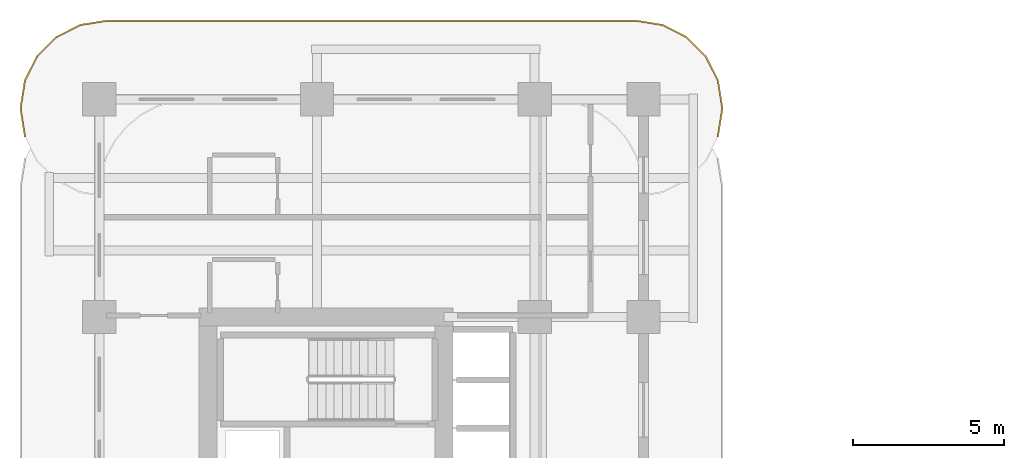
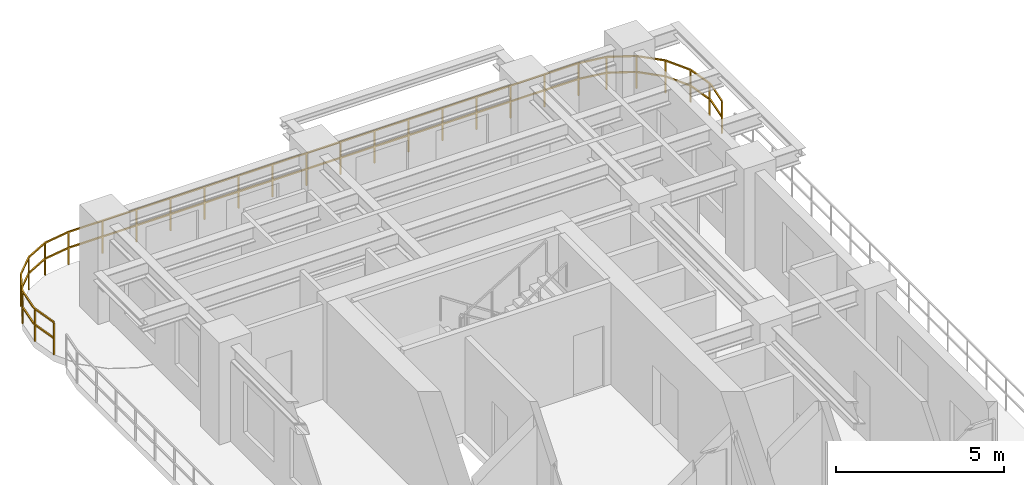
# One storey, part 19 of 19: 1 railing.
"""IFC4 building model written with IfcOpenShell, lengths in metres."""

from ifc_helpers import new_model, si_unit, derived_unit, direction, frame, origin, origin_2d, place, context, subcontext, project, spatial, rectangle, extrude, material, type_object, element, save


model = new_model("IFC4")

# Units and contexts
model_context = context("Model", 3, precision=1e-05, world=origin(), true_north=direction((0.0, 1.0)))
body_context = subcontext(model_context, "Body", "Model", "MODEL_VIEW")
ifc_project = project(units=[si_unit("LENGTHUNIT", "METRE"), si_unit("AREAUNIT", "SQUARE_METRE"), si_unit("VOLUMEUNIT", "CUBIC_METRE"), si_unit("PLANEANGLEUNIT", "RADIAN"), si_unit("MASSUNIT", "GRAM", prefix="KILO"), si_unit("THERMODYNAMICTEMPERATUREUNIT", "KELVIN"), si_unit("POWERUNIT", "WATT"), derived_unit("THERMALTRANSMITTANCEUNIT", [(si_unit("POWERUNIT", "WATT"), 1), (si_unit("AREAUNIT", "SQUARE_METRE"), -1), (si_unit("THERMODYNAMICTEMPERATUREUNIT", "KELVIN"), -1)])], contexts=[model_context])

# Site, building, storey
site_placement = place(None, origin())
site = spatial("IfcSite", under=ifc_project, at=site_placement, CompositionType="ELEMENT")
building_placement = place(site_placement, origin())
building = spatial("IfcBuilding", under=site, at=building_placement, Name="Zahravan Archway Hotel and Residences", CompositionType="ELEMENT")
storey_placement = place(building_placement, frame((0.0, 0.0, 32.39990234375)))
storey = spatial("IfcBuildingStorey", under=building, at=storey_placement, Name="L06", CompositionType="ELEMENT", Elevation=32.39990234375)

# Railing
ifc_material = material(Name="Bronze & Laminated Glass Balustrade", Category="glass")
railing_type = type_object("IfcRailingType", Name="RL-BAL-1200", PredefinedType="BALUSTRADE", material=ifc_material)
railing_placement = place(storey_placement, frame((-2.46044921875, 45.5693359375, 0.0)))
element("IfcRailing", 1, at=railing_placement, inside=storey, type_object=railing_type, Name="L06 Balustrade RL-SLB-BAL-L06-NB-1", PredefinedType="BALUSTRADE", context=body_context, shape_type="SweptSolid", body=[
    extrude(rectangle(XDim=0.048095703125, YDim=0.048095703125, at=origin_2d()), frame((0.0, 0.0, 1.17578125), z_axis=(-0.156623399917, 0.987658397726, 0.0), x_axis=(-0.987658397726, -0.156623399917, 0.0)), (0.0, 0.0, 1.0), 0.8916015625),
    extrude(rectangle(XDim=0.048095703125, YDim=0.048095703125, at=origin_2d()), frame((0.0, 0.0, 0.60009765625), z_axis=(-0.156623399917, 0.987658397726, 0.0), x_axis=(-0.987658397726, -0.156623399917, 0.0)), (0.0, 0.0, 1.0), 0.8916015625),
    extrude(rectangle(XDim=0.048095703125, YDim=0.048095703125, at=origin_2d()), frame((-0.1396484375, 0.880615234375, 1.17578125), z_axis=(0.0, 1.0, 0.0), x_axis=(-1.0, 0.0, 0.0)), (0.0, 0.0, 1.0), 0.10009765625),
    extrude(rectangle(XDim=0.048095703125, YDim=0.048095703125, at=origin_2d()), frame((-0.1396484375, 0.880615234375, 0.60009765625), z_axis=(0.0, 1.0, 0.0), x_axis=(-1.0, 0.0, 0.0)), (0.0, 0.0, 1.0), 0.10009765625),
    extrude(rectangle(XDim=0.048095703125, YDim=0.048095703125, at=origin_2d()), frame((-0.1396484375, 0.980712890625, 1.17578125), z_axis=(0.156623399917, 0.987658397726, 0.0), x_axis=(-0.987658397726, 0.156623399917, 0.0)), (0.0, 0.0, 1.0), 0.8916015625),
    extrude(rectangle(XDim=0.048095703125, YDim=0.048095703125, at=origin_2d()), frame((-0.1396484375, 0.980712890625, 0.60009765625), z_axis=(0.156623399917, 0.987658397726, 0.0), x_axis=(-0.987658397726, 0.156623399917, 0.0)), (0.0, 0.0, 1.0), 0.8916015625),
    extrude(rectangle(XDim=0.048095703125, YDim=0.048095703125, at=origin_2d()), frame((0.0, 1.861328125, 1.17578125), z_axis=(0.453991409995, 0.891006060389, 0.0), x_axis=(-0.891006060389, 0.453991409995, 0.0)), (0.0, 0.0, 1.0), 0.8916015625),
    extrude(rectangle(XDim=0.048095703125, YDim=0.048095703125, at=origin_2d()), frame((0.0, 1.861328125, 0.60009765625), z_axis=(0.453991409995, 0.891006060389, 0.0), x_axis=(-0.891006060389, 0.453991409995, 0.0)), (0.0, 0.0, 1.0), 0.8916015625),
    extrude(rectangle(XDim=0.048095703125, YDim=0.048095703125, at=origin_2d()), frame((0.40478515625, 2.65576171875, 1.17578125), z_axis=(0.706969864397, 0.70724367147, 0.0), x_axis=(-0.70724367147, 0.706969864397, 0.0)), (0.0, 0.0, 1.0), 0.8916015625),
    extrude(rectangle(XDim=0.048095703125, YDim=0.048095703125, at=origin_2d()), frame((0.40478515625, 2.65576171875, 0.60009765625), z_axis=(0.706969864397, 0.70724367147, 0.0), x_axis=(-0.70724367147, 0.706969864397, 0.0)), (0.0, 0.0, 1.0), 0.8916015625),
    extrude(rectangle(XDim=0.048095703125, YDim=0.048095703125, at=origin_2d()), frame((1.03515625, 3.286376953125, 1.17578125), z_axis=(0.891062476022, 0.45388067135, 0.0), x_axis=(-0.45388067135, 0.891062476022, 0.0)), (0.0, 0.0, 1.0), 0.891845703125),
    extrude(rectangle(XDim=0.048095703125, YDim=0.048095703125, at=origin_2d()), frame((1.03515625, 3.286376953125, 0.60009765625), z_axis=(0.891062476022, 0.45388067135, 0.0), x_axis=(-0.45388067135, 0.891062476022, 0.0)), (0.0, 0.0, 1.0), 0.891845703125),
    extrude(rectangle(XDim=0.048095703125, YDim=0.048095703125, at=origin_2d()), frame((1.829833984375, 3.691162109375, 1.17578125), z_axis=(0.987700720307, 0.156356282588, 0.0), x_axis=(-0.156356282588, 0.987700720307, 0.0)), (0.0, 0.0, 1.0), 0.8916015625),
    extrude(rectangle(XDim=0.048095703125, YDim=0.048095703125, at=origin_2d()), frame((1.829833984375, 3.691162109375, 0.60009765625), z_axis=(0.987700720307, 0.156356282588, 0.0), x_axis=(-0.156356282588, 0.987700720307, 0.0)), (0.0, 0.0, 1.0), 0.8916015625),
    extrude(rectangle(XDim=0.048095703125, YDim=0.048095703125, at=origin_2d()), frame((2.71044921875, 3.83056640625, 1.17578125), z_axis=(1.0, 0.0, 0.0), x_axis=(0.0, 1.0, 0.0)), (0.0, 0.0, 1.0), 17.5),
    extrude(rectangle(XDim=0.048095703125, YDim=0.048095703125, at=origin_2d()), frame((2.71044921875, 3.83056640625, 0.60009765625), z_axis=(1.0, 0.0, 0.0), x_axis=(0.0, 1.0, 0.0)), (0.0, 0.0, 1.0), 17.5),
    extrude(rectangle(XDim=0.048095703125, YDim=0.048095703125, at=origin_2d()), frame((20.21044921875, 3.83056640625, 1.17578125), z_axis=(0.987700720307, -0.156356282588, 0.0), x_axis=(0.156356282588, 0.987700720307, 0.0)), (0.0, 0.0, 1.0), 0.8916015625),
    extrude(rectangle(XDim=0.048095703125, YDim=0.048095703125, at=origin_2d()), frame((20.21044921875, 3.83056640625, 0.60009765625), z_axis=(0.987700720307, -0.156356282588, 0.0), x_axis=(0.156356282588, 0.987700720307, 0.0)), (0.0, 0.0, 1.0), 0.8916015625),
    extrude(rectangle(XDim=0.048095703125, YDim=0.048095703125, at=origin_2d()), frame((21.091064453125, 3.691162109375, 1.17578125), z_axis=(0.891062476022, -0.45388067135, 0.0), x_axis=(0.45388067135, 0.891062476022, 0.0)), (0.0, 0.0, 1.0), 0.891845703125),
    extrude(rectangle(XDim=0.048095703125, YDim=0.048095703125, at=origin_2d()), frame((21.091064453125, 3.691162109375, 0.60009765625), z_axis=(0.891062476022, -0.45388067135, 0.0), x_axis=(0.45388067135, 0.891062476022, 0.0)), (0.0, 0.0, 1.0), 0.891845703125),
    extrude(rectangle(XDim=0.048095703125, YDim=0.048095703125, at=origin_2d()), frame((21.8857421875, 3.286376953125, 1.17578125), z_axis=(0.706969864397, -0.70724367147, 0.0), x_axis=(0.70724367147, 0.706969864397, 0.0)), (0.0, 0.0, 1.0), 0.8916015625),
    extrude(rectangle(XDim=0.048095703125, YDim=0.048095703125, at=origin_2d()), frame((21.8857421875, 3.286376953125, 0.60009765625), z_axis=(0.706969864397, -0.70724367147, 0.0), x_axis=(0.70724367147, 0.706969864397, 0.0)), (0.0, 0.0, 1.0), 0.8916015625),
    extrude(rectangle(XDim=0.048095703125, YDim=0.048095703125, at=origin_2d()), frame((22.51611328125, 2.65576171875, 1.17578125), z_axis=(0.453991409995, -0.891006060389, 0.0), x_axis=(0.891006060389, 0.453991409995, 0.0)), (0.0, 0.0, 1.0), 0.8916015625),
    extrude(rectangle(XDim=0.048095703125, YDim=0.048095703125, at=origin_2d()), frame((22.51611328125, 2.65576171875, 0.60009765625), z_axis=(0.453991409995, -0.891006060389, 0.0), x_axis=(0.891006060389, 0.453991409995, 0.0)), (0.0, 0.0, 1.0), 0.8916015625),
    extrude(rectangle(XDim=0.048095703125, YDim=0.048095703125, at=origin_2d()), frame((22.9208984375, 1.861328125, 1.17578125), z_axis=(0.156623399917, -0.987658397726, 0.0), x_axis=(0.987658397726, 0.156623399917, 0.0)), (0.0, 0.0, 1.0), 0.8916015625),
    extrude(rectangle(XDim=0.048095703125, YDim=0.048095703125, at=origin_2d()), frame((22.9208984375, 1.861328125, 0.60009765625), z_axis=(0.156623399917, -0.987658397726, 0.0), x_axis=(0.987658397726, 0.156623399917, 0.0)), (0.0, 0.0, 1.0), 0.8916015625),
    extrude(rectangle(XDim=0.048095703125, YDim=0.048095703125, at=origin_2d()), frame((23.060546875, 0.980712890625, 1.17578125), z_axis=(0.0, -1.0, 0.0), x_axis=(1.0, 0.0, 0.0)), (0.0, 0.0, 1.0), 0.10009765625),
    extrude(rectangle(XDim=0.048095703125, YDim=0.048095703125, at=origin_2d()), frame((23.060546875, 0.980712890625, 0.60009765625), z_axis=(0.0, -1.0, 0.0), x_axis=(1.0, 0.0, 0.0)), (0.0, 0.0, 1.0), 0.10009765625),
    extrude(rectangle(XDim=0.048095703125, YDim=0.048095703125, at=origin_2d()), frame((23.060546875, 0.880615234375, 1.17578125), z_axis=(-0.156623399917, -0.987658397726, 0.0), x_axis=(0.987658397726, -0.156623399917, 0.0)), (0.0, 0.0, 1.0), 0.8916015625),
    extrude(rectangle(XDim=0.048095703125, YDim=0.048095703125, at=origin_2d()), frame((23.060546875, 0.880615234375, 0.60009765625), z_axis=(-0.156623399917, -0.987658397726, 0.0), x_axis=(0.987658397726, -0.156623399917, 0.0)), (0.0, 0.0, 1.0), 0.8916015625),
    extrude(rectangle(XDim=0.0419921875, YDim=0.0419921875, at=origin_2d()), origin(), (0.0, 0.0, 1.0), 1.15185546875),
    extrude(rectangle(XDim=0.0419921875, YDim=0.0419921875, at=origin_2d()), frame((-0.1396484375, 0.880615234375, 0.0)), (0.0, 0.0, 1.0), 1.15185546875),
    extrude(rectangle(XDim=0.0419921875, YDim=0.0419921875, at=origin_2d()), frame((0.0, 1.861328125, 0.0)), (0.0, 0.0, 1.0), 1.15185546875),
    extrude(rectangle(XDim=0.0419921875, YDim=0.0419921875, at=origin_2d()), frame((0.40478515625, 2.65576171875, 0.0)), (0.0, 0.0, 1.0), 1.15185546875),
    extrude(rectangle(XDim=0.0419921875, YDim=0.0419921875, at=origin_2d()), frame((1.03515625, 3.286376953125, 0.0)), (0.0, 0.0, 1.0), 1.15185546875),
    extrude(rectangle(XDim=0.0419921875, YDim=0.0419921875, at=origin_2d()), frame((1.829833984375, 3.691162109375, 0.0)), (0.0, 0.0, 1.0), 1.15185546875),
    extrude(rectangle(XDim=0.0419921875, YDim=0.0419921875, at=origin_2d()), frame((2.71044921875, 3.83056640625, 0.0)), (0.0, 0.0, 1.0), 1.15185546875),
    extrude(rectangle(XDim=0.0419921875, YDim=0.0419921875, at=origin_2d()), frame((3.877197265625, 3.83056640625, 0.0)), (0.0, 0.0, 1.0), 1.15185546875),
    extrude(rectangle(XDim=0.0419921875, YDim=0.0419921875, at=origin_2d()), frame((5.043701171875, 3.83056640625, 0.0)), (0.0, 0.0, 1.0), 1.15185546875),
    extrude(rectangle(XDim=0.0419921875, YDim=0.0419921875, at=origin_2d()), frame((6.21044921875, 3.83056640625, 0.0)), (0.0, 0.0, 1.0), 1.15185546875),
    extrude(rectangle(XDim=0.0419921875, YDim=0.0419921875, at=origin_2d()), frame((7.377197265625, 3.83056640625, 0.0)), (0.0, 0.0, 1.0), 1.15185546875),
    extrude(rectangle(XDim=0.0419921875, YDim=0.0419921875, at=origin_2d()), frame((8.543701171875, 3.83056640625, 0.0)), (0.0, 0.0, 1.0), 1.15185546875),
    extrude(rectangle(XDim=0.0419921875, YDim=0.0419921875, at=origin_2d()), frame((9.71044921875, 3.83056640625, 0.0)), (0.0, 0.0, 1.0), 1.15185546875),
    extrude(rectangle(XDim=0.0419921875, YDim=0.0419921875, at=origin_2d()), frame((10.877197265625, 3.83056640625, 0.0)), (0.0, 0.0, 1.0), 1.15185546875),
    extrude(rectangle(XDim=0.0419921875, YDim=0.0419921875, at=origin_2d()), frame((12.043701171875, 3.83056640625, 0.0)), (0.0, 0.0, 1.0), 1.15185546875),
    extrude(rectangle(XDim=0.0419921875, YDim=0.0419921875, at=origin_2d()), frame((13.21044921875, 3.83056640625, 0.0)), (0.0, 0.0, 1.0), 1.15185546875),
    extrude(rectangle(XDim=0.0419921875, YDim=0.0419921875, at=origin_2d()), frame((14.377197265625, 3.83056640625, 0.0)), (0.0, 0.0, 1.0), 1.15185546875),
    extrude(rectangle(XDim=0.0419921875, YDim=0.0419921875, at=origin_2d()), frame((15.543701171875, 3.83056640625, 0.0)), (0.0, 0.0, 1.0), 1.15185546875),
    extrude(rectangle(XDim=0.0419921875, YDim=0.0419921875, at=origin_2d()), frame((16.71044921875, 3.83056640625, 0.0)), (0.0, 0.0, 1.0), 1.15185546875),
    extrude(rectangle(XDim=0.0419921875, YDim=0.0419921875, at=origin_2d()), frame((17.877197265625, 3.83056640625, 0.0)), (0.0, 0.0, 1.0), 1.15185546875),
    extrude(rectangle(XDim=0.0419921875, YDim=0.0419921875, at=origin_2d()), frame((19.043701171875, 3.83056640625, 0.0)), (0.0, 0.0, 1.0), 1.15185546875),
    extrude(rectangle(XDim=0.0419921875, YDim=0.0419921875, at=origin_2d()), frame((20.21044921875, 3.83056640625, 0.0)), (0.0, 0.0, 1.0), 1.15185546875),
    extrude(rectangle(XDim=0.0419921875, YDim=0.0419921875, at=origin_2d()), frame((21.091064453125, 3.691162109375, 0.0)), (0.0, 0.0, 1.0), 1.15185546875),
    extrude(rectangle(XDim=0.0419921875, YDim=0.0419921875, at=origin_2d()), frame((21.8857421875, 3.286376953125, 0.0)), (0.0, 0.0, 1.0), 1.15185546875),
    extrude(rectangle(XDim=0.0419921875, YDim=0.0419921875, at=origin_2d()), frame((22.51611328125, 2.65576171875, 0.0)), (0.0, 0.0, 1.0), 1.15185546875),
    extrude(rectangle(XDim=0.0419921875, YDim=0.0419921875, at=origin_2d()), frame((22.9208984375, 1.861328125, 0.0)), (0.0, 0.0, 1.0), 1.15185546875),
    extrude(rectangle(XDim=0.0419921875, YDim=0.0419921875, at=origin_2d()), frame((23.060546875, 0.980712890625, 0.0)), (0.0, 0.0, 1.0), 1.15185546875),
    extrude(rectangle(XDim=0.0419921875, YDim=0.0419921875, at=origin_2d()), frame((22.9208984375, 0.0, 0.0)), (0.0, 0.0, 1.0), 1.15185546875),
])

save(model, "model.ifc")
